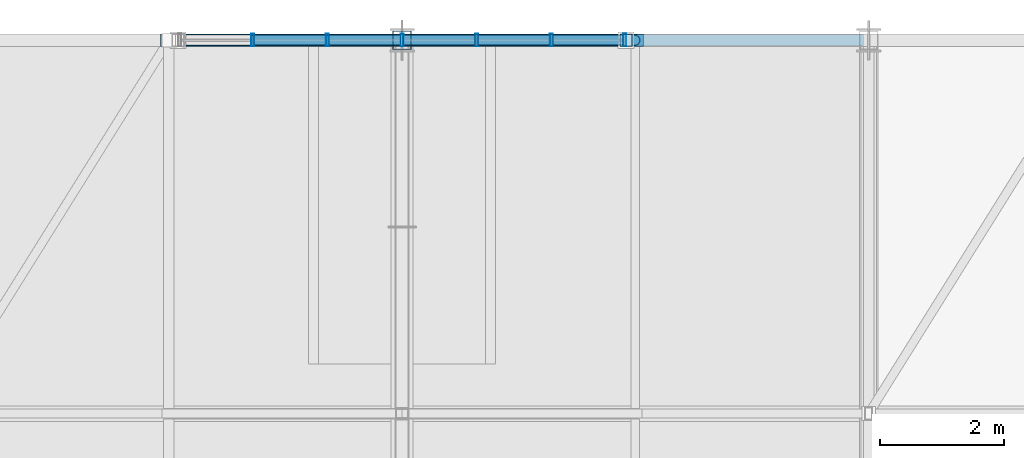
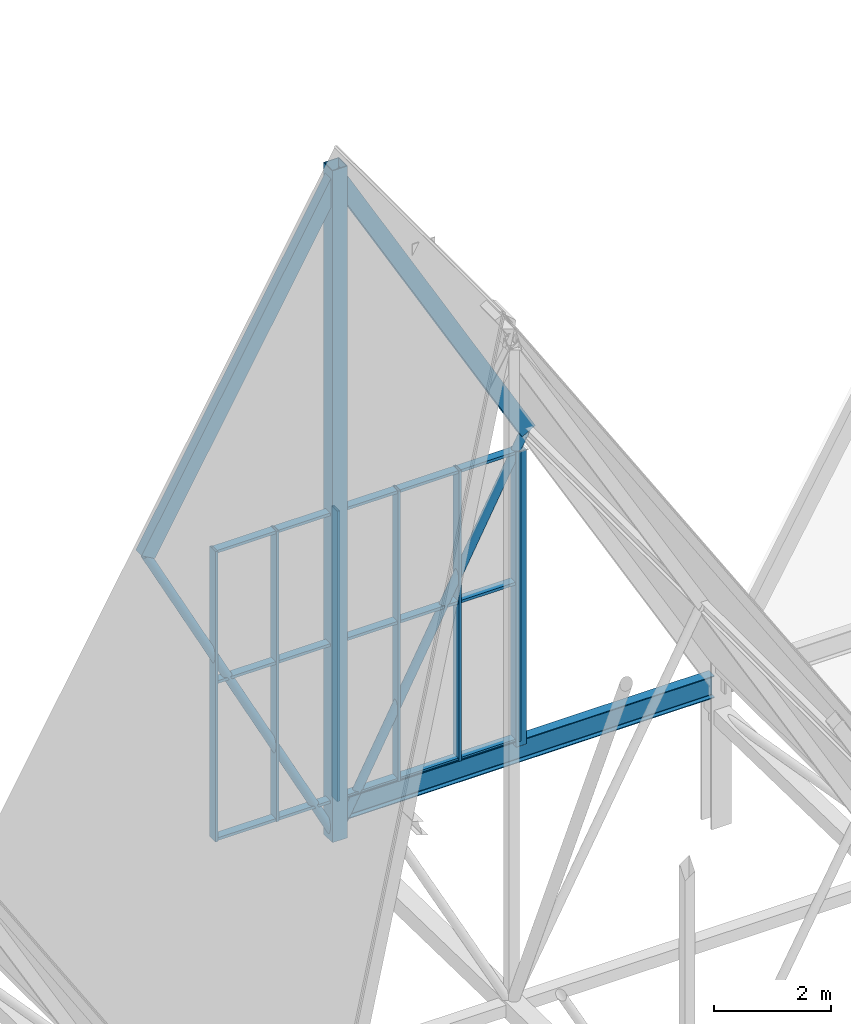
# One storey, part 157 of 324: 27 members, 1 beam, 1 element without a shape of its own.
"""IFC4 building model written with IfcOpenShell, lengths in metres."""

from ifc_helpers import new_model, si_unit, direction, frame, origin, origin_2d, place, context, subcontext, project, spatial, hollow_rectangle, hollow_circle, i_section, extrude, material, layer, layer_set, material_profile, profile_set, type_object, element, aggregate, save


model = new_model("IFC4")

# Units and contexts
model_context = context("Model", 3, precision=1e-05, world=origin(), true_north=direction((0.0, 1.0)))
body_context = subcontext(model_context, "Body", "Model", "MODEL_VIEW")
ifc_project = project(units=[si_unit("LENGTHUNIT", "METRE"), si_unit("AREAUNIT", "SQUARE_METRE"), si_unit("VOLUMEUNIT", "CUBIC_METRE"), si_unit("PLANEANGLEUNIT", "RADIAN"), si_unit("MASSUNIT", "GRAM", prefix="KILO")], contexts=[model_context])

# Site, building, storey
site_placement = place(None, origin())
site = spatial("IfcSite", under=ifc_project, at=site_placement, CompositionType="ELEMENT")
building_placement = place(site_placement, origin())
building = spatial("IfcBuilding", under=site, at=building_placement, Name="Solvenia Promenade Tram Depot", CompositionType="ELEMENT")
storey_placement = place(building_placement, frame((0.0, 0.0, 4.5)))
storey = spatial("IfcBuildingStorey", under=building, at=storey_placement, Name="L01", CompositionType="ELEMENT", Elevation=4.5)

# Curtain wall, members
ifc_material_1 = material(Name="Anodized aluminium AW-6063 T6", Category="aluminium")
ifc_layer = layer(ifc_material_1, 0.14990234375, Name="Anodized aluminium AW-6063 T6", Category="aluminium")
ifc_layer_set = layer_set([ifc_layer], Name="Anodized aluminium AW-6063 T6")
curtain_wall_type = type_object("IfcCurtainWallType", Name="CW-Gable-1200", PredefinedType="NOTDEFINED", material=ifc_layer_set)
curtain_wall_placement = place(storey_placement, origin())
curtain_wall = element("IfcCurtainWall", 1, at=curtain_wall_placement, inside=storey, type_object=curtain_wall_type, Name="North Zigzag Gable 06 Peak Glazing", PredefinedType="NOTDEFINED")
ifc_material_profile_1 = material_profile(ifc_material_1, hollow_rectangle(XDim=0.199951171875, YDim=0.048095703125, WallThickness=0.00390625, at=origin_2d()), Name="ALU-M3", Category="aluminium")
ifc_profile_set_1 = profile_set([ifc_material_profile_1], Name="Anodized aluminium AW-6063 T6")
member_type_1 = type_object("IfcMemberType", Name="CWM-Mullion-3", PredefinedType="MULLION", material=ifc_profile_set_1)
member_1_placement = place(storey_placement, frame((80.10009765625, 126.0, 3.10009765625), z_axis=(0.0, 0.0, 1.0), x_axis=(0.0, 1.0, 0.0)))
member_1 = element("IfcMember", 2, at=member_1_placement, type_object=member_type_1, Name="CW-3 mullion 2", PredefinedType="MULLION", context=body_context, shape_type="SweptSolid", body=[
    extrude(hollow_rectangle(XDim=0.199951171875, YDim=0.048095703125, WallThickness=0.00390625, at=origin_2d()), origin(), (0.0, 0.0, 1.0), 6.0498046875),
])
member_2_placement = place(storey_placement, frame((81.300048828125, 126.0, 3.10009765625), z_axis=(0.0, 0.0, 1.0), x_axis=(0.0, 1.0, 0.0)))
member_2 = element("IfcMember", 3, at=member_2_placement, type_object=member_type_1, Name="CW-3 mullion 3", PredefinedType="MULLION", context=body_context, shape_type="SweptSolid", body=[
    extrude(hollow_rectangle(XDim=0.199951171875, YDim=0.048095703125, WallThickness=0.00390625, at=origin_2d()), origin(), (0.0, 0.0, 1.0), 6.0498046875),
])
member_3_placement = place(storey_placement, frame((82.5, 126.0, 3.10009765625), z_axis=(0.0, 0.0, 1.0), x_axis=(0.0, 1.0, 0.0)))
member_3 = element("IfcMember", 4, at=member_3_placement, type_object=member_type_1, Name="CW-3 mullion 4", PredefinedType="MULLION", context=body_context, shape_type="SweptSolid", body=[
    extrude(hollow_rectangle(XDim=0.199951171875, YDim=0.048095703125, WallThickness=0.00390625, at=origin_2d()), origin(), (0.0, 0.0, 1.0), 6.0498046875),
])
member_4_placement = place(storey_placement, frame((83.699951171875, 126.0, 3.10009765625), z_axis=(0.0, 0.0, 1.0), x_axis=(0.0, 1.0, 0.0)))
member_4 = element("IfcMember", 5, at=member_4_placement, type_object=member_type_1, Name="CW-3 mullion 5", PredefinedType="MULLION", context=body_context, shape_type="SweptSolid", body=[
    extrude(hollow_rectangle(XDim=0.199951171875, YDim=0.048095703125, WallThickness=0.00390625, at=origin_2d()), origin(), (0.0, 0.0, 1.0), 6.0498046875),
])
member_5_placement = place(storey_placement, frame((84.89990234375, 126.0, 3.10009765625), z_axis=(0.0, 0.0, 1.0), x_axis=(0.0, 1.0, 0.0)))
member_5 = element("IfcMember", 6, at=member_5_placement, type_object=member_type_1, Name="CW-3 mullion 6", PredefinedType="MULLION", context=body_context, shape_type="SweptSolid", body=[
    extrude(hollow_rectangle(XDim=0.199951171875, YDim=0.048095703125, WallThickness=0.00390625, at=origin_2d()), origin(), (0.0, 0.0, 1.0), 6.0498046875),
])
member_6_placement = place(storey_placement, frame((86.075927734375, 126.0, 3.10009765625), z_axis=(0.0, 0.0, 1.0), x_axis=(0.0, 1.0, 0.0)))
member_6 = element("IfcMember", 7, at=member_6_placement, type_object=member_type_1, Name="CW-3 mullion 7", PredefinedType="MULLION", context=body_context, shape_type="SweptSolid", body=[
    extrude(hollow_rectangle(XDim=0.199951171875, YDim=0.048095703125, WallThickness=0.00390625, at=origin_2d()), origin(), (0.0, 0.0, 1.0), 6.0498046875),
])
ifc_material_profile_2 = material_profile(ifc_material_1, hollow_rectangle(XDim=0.159912109375, YDim=0.05810546875, WallThickness=0.00390625, at=origin_2d()), Name="ALU-T3", Category="aluminium")
ifc_profile_set_2 = profile_set([ifc_material_profile_2], Name="Anodized aluminium AW-6063 T6")
member_type_2 = type_object("IfcMemberType", Name="CWT-Transom-3", PredefinedType="USERDEFINED", material=ifc_profile_set_2)
member_7_placement = place(storey_placement, frame((80.1240234375, 126.0, 3.12890625), z_axis=(1.0, 0.0, 0.0), x_axis=(0.0, 1.0, 0.0)))
member_7 = element("IfcMember", 8, at=member_7_placement, type_object=member_type_2, Name="CW-3 transom 2.1", ObjectType="TRANSOM", PredefinedType="USERDEFINED", context=body_context, shape_type="SweptSolid", body=[
    extrude(hollow_rectangle(XDim=0.159912109375, YDim=0.05810546875, WallThickness=0.00390625, at=origin_2d()), origin(), (0.0, 0.0, 1.0), 1.15185546875),
])
member_8_placement = place(storey_placement, frame((80.1240234375, 126.0, 6.39990234375), z_axis=(1.0, 0.0, 0.0), x_axis=(0.0, 1.0, 0.0)))
member_8 = element("IfcMember", 9, at=member_8_placement, type_object=member_type_2, Name="CW-3 transom 2.2", ObjectType="TRANSOM", PredefinedType="USERDEFINED", context=body_context, shape_type="SweptSolid", body=[
    extrude(hollow_rectangle(XDim=0.159912109375, YDim=0.05810546875, WallThickness=0.00390625, at=origin_2d()), origin(), (0.0, 0.0, 1.0), 1.15185546875),
])
member_9_placement = place(storey_placement, frame((80.1240234375, 126.0, 9.12109375), z_axis=(1.0, 0.0, 0.0), x_axis=(0.0, 1.0, 0.0)))
member_9 = element("IfcMember", 10, at=member_9_placement, type_object=member_type_2, Name="CW-3 transom 2.3", ObjectType="TRANSOM", PredefinedType="USERDEFINED", context=body_context, shape_type="SweptSolid", body=[
    extrude(hollow_rectangle(XDim=0.159912109375, YDim=0.05810546875, WallThickness=0.00390625, at=origin_2d()), origin(), (0.0, 0.0, 1.0), 1.15185546875),
])
member_10_placement = place(storey_placement, frame((81.323974609375, 126.0, 3.12890625), z_axis=(1.0, 0.0, 0.0), x_axis=(0.0, 1.0, 0.0)))
member_10 = element("IfcMember", 11, at=member_10_placement, type_object=member_type_2, Name="CW-3 transom 3.1", ObjectType="TRANSOM", PredefinedType="USERDEFINED", context=body_context, shape_type="SweptSolid", body=[
    extrude(hollow_rectangle(XDim=0.159912109375, YDim=0.05810546875, WallThickness=0.00390625, at=origin_2d()), origin(), (0.0, 0.0, 1.0), 1.152099609375),
])
member_11_placement = place(storey_placement, frame((81.323974609375, 126.0, 6.39990234375), z_axis=(1.0, 0.0, 0.0), x_axis=(0.0, 1.0, 0.0)))
member_11 = element("IfcMember", 12, at=member_11_placement, type_object=member_type_2, Name="CW-3 transom 3.2", ObjectType="TRANSOM", PredefinedType="USERDEFINED", context=body_context, shape_type="SweptSolid", body=[
    extrude(hollow_rectangle(XDim=0.159912109375, YDim=0.05810546875, WallThickness=0.00390625, at=origin_2d()), origin(), (0.0, 0.0, 1.0), 1.152099609375),
])
member_12_placement = place(storey_placement, frame((81.323974609375, 126.0, 9.12109375), z_axis=(1.0, 0.0, 0.0), x_axis=(0.0, 1.0, 0.0)))
member_12 = element("IfcMember", 13, at=member_12_placement, type_object=member_type_2, Name="CW-3 transom 3.3", ObjectType="TRANSOM", PredefinedType="USERDEFINED", context=body_context, shape_type="SweptSolid", body=[
    extrude(hollow_rectangle(XDim=0.159912109375, YDim=0.05810546875, WallThickness=0.00390625, at=origin_2d()), origin(), (0.0, 0.0, 1.0), 1.152099609375),
])
member_13_placement = place(storey_placement, frame((82.52392578125, 126.0, 3.12890625), z_axis=(1.0, 0.0, 0.0), x_axis=(0.0, 1.0, 0.0)))
member_13 = element("IfcMember", 14, at=member_13_placement, type_object=member_type_2, Name="CW-3 transom 4.1", ObjectType="TRANSOM", PredefinedType="USERDEFINED", context=body_context, shape_type="SweptSolid", body=[
    extrude(hollow_rectangle(XDim=0.159912109375, YDim=0.05810546875, WallThickness=0.00390625, at=origin_2d()), origin(), (0.0, 0.0, 1.0), 1.152099609375),
])
member_14_placement = place(storey_placement, frame((82.52392578125, 126.0, 6.39990234375), z_axis=(1.0, 0.0, 0.0), x_axis=(0.0, 1.0, 0.0)))
member_14 = element("IfcMember", 15, at=member_14_placement, type_object=member_type_2, Name="CW-3 transom 4.2", ObjectType="TRANSOM", PredefinedType="USERDEFINED", context=body_context, shape_type="SweptSolid", body=[
    extrude(hollow_rectangle(XDim=0.159912109375, YDim=0.05810546875, WallThickness=0.00390625, at=origin_2d()), origin(), (0.0, 0.0, 1.0), 1.152099609375),
])
member_15_placement = place(storey_placement, frame((82.52392578125, 126.0, 9.12109375), z_axis=(1.0, 0.0, 0.0), x_axis=(0.0, 1.0, 0.0)))
member_15 = element("IfcMember", 16, at=member_15_placement, type_object=member_type_2, Name="CW-3 transom 4.3", ObjectType="TRANSOM", PredefinedType="USERDEFINED", context=body_context, shape_type="SweptSolid", body=[
    extrude(hollow_rectangle(XDim=0.159912109375, YDim=0.05810546875, WallThickness=0.00390625, at=origin_2d()), origin(), (0.0, 0.0, 1.0), 1.152099609375),
])
member_16_placement = place(storey_placement, frame((83.72412109375, 126.0, 3.12890625), z_axis=(1.0, 0.0, 0.0), x_axis=(0.0, 1.0, 0.0)))
member_16 = element("IfcMember", 17, at=member_16_placement, type_object=member_type_2, Name="CW-3 transom 5.1", ObjectType="TRANSOM", PredefinedType="USERDEFINED", context=body_context, shape_type="SweptSolid", body=[
    extrude(hollow_rectangle(XDim=0.159912109375, YDim=0.05810546875, WallThickness=0.00390625, at=origin_2d()), origin(), (0.0, 0.0, 1.0), 1.15185546875),
])
member_17_placement = place(storey_placement, frame((83.72412109375, 126.0, 6.39990234375), z_axis=(1.0, 0.0, 0.0), x_axis=(0.0, 1.0, 0.0)))
member_17 = element("IfcMember", 18, at=member_17_placement, type_object=member_type_2, Name="CW-3 transom 5.2", ObjectType="TRANSOM", PredefinedType="USERDEFINED", context=body_context, shape_type="SweptSolid", body=[
    extrude(hollow_rectangle(XDim=0.159912109375, YDim=0.05810546875, WallThickness=0.00390625, at=origin_2d()), origin(), (0.0, 0.0, 1.0), 1.15185546875),
])
member_18_placement = place(storey_placement, frame((83.72412109375, 126.0, 9.12109375), z_axis=(1.0, 0.0, 0.0), x_axis=(0.0, 1.0, 0.0)))
member_18 = element("IfcMember", 19, at=member_18_placement, type_object=member_type_2, Name="CW-3 transom 5.3", ObjectType="TRANSOM", PredefinedType="USERDEFINED", context=body_context, shape_type="SweptSolid", body=[
    extrude(hollow_rectangle(XDim=0.159912109375, YDim=0.05810546875, WallThickness=0.00390625, at=origin_2d()), origin(), (0.0, 0.0, 1.0), 1.15185546875),
])
member_19_placement = place(storey_placement, frame((84.924072265625, 126.0, 3.12890625), z_axis=(1.0, 0.0, 0.0), x_axis=(0.0, 1.0, 0.0)))
member_19 = element("IfcMember", 20, at=member_19_placement, type_object=member_type_2, Name="CW-3 transom 6.1", ObjectType="TRANSOM", PredefinedType="USERDEFINED", context=body_context, shape_type="SweptSolid", body=[
    extrude(hollow_rectangle(XDim=0.159912109375, YDim=0.05810546875, WallThickness=0.00390625, at=origin_2d()), origin(), (0.0, 0.0, 1.0), 1.1279296875),
])
member_20_placement = place(storey_placement, frame((84.924072265625, 126.0, 6.39990234375), z_axis=(1.0, 0.0, 0.0), x_axis=(0.0, 1.0, 0.0)))
member_20 = element("IfcMember", 21, at=member_20_placement, type_object=member_type_2, Name="CW-3 transom 6.2", ObjectType="TRANSOM", PredefinedType="USERDEFINED", context=body_context, shape_type="SweptSolid", body=[
    extrude(hollow_rectangle(XDim=0.159912109375, YDim=0.05810546875, WallThickness=0.00390625, at=origin_2d()), origin(), (0.0, 0.0, 1.0), 1.1279296875),
])
member_21_placement = place(storey_placement, frame((84.924072265625, 126.0, 9.12109375), z_axis=(1.0, 0.0, 0.0), x_axis=(0.0, 1.0, 0.0)))
member_21 = element("IfcMember", 22, at=member_21_placement, type_object=member_type_2, Name="CW-3 transom 6.3", ObjectType="TRANSOM", PredefinedType="USERDEFINED", context=body_context, shape_type="SweptSolid", body=[
    extrude(hollow_rectangle(XDim=0.159912109375, YDim=0.05810546875, WallThickness=0.00390625, at=origin_2d()), origin(), (0.0, 0.0, 1.0), 1.1279296875),
])
aggregate(curtain_wall, [member_1, member_2, member_3, member_4, member_5, member_6, member_7, member_8, member_9, member_10, member_11, member_12, member_13, member_14, member_15, member_16, member_17, member_18, member_19, member_20, member_21])

# Members
ifc_material_2 = material(Name="Structural steel ASTM A500 Gr. C", Category="steel")
ifc_material_profile_3 = material_profile(ifc_material_2, hollow_rectangle(XDim=0.199951171875, YDim=0.300048828125, WallThickness=0.012451171875, at=origin_2d()), Name="HSS300x200x12.5", Category="steel")
ifc_profile_set_3 = profile_set([ifc_material_profile_3], Name="Structural steel ASTM A500 Gr. C")
member_type_3 = type_object("IfcMemberType", Name="Chord-HSS300x200x12", PredefinedType="CHORD", material=ifc_profile_set_3)
for number, where, z_axis, x_axis, name in (
    (23, (78.75, 126.0, 9.501220703125), (0.494861595532, 0.0, 0.868971806946), (0.0, 1.0, 0.0), "Zigzag Gable 06 West Upper Rafter"),
    (24, (82.5, 126.0, 16.086181640625), (0.494861595532, 0.0, -0.868971806946), (0.0, 1.0, 0.0), "Zigzag Gable 06 East Upper Rafter"),
):
    element("IfcMember", number, at=place(storey_placement, frame(where, z_axis=z_axis, x_axis=x_axis)), inside=storey, type_object=member_type_3, Name=name, PredefinedType="CHORD", context=body_context, shape_type="SweptSolid", body=[
        extrude(hollow_rectangle(XDim=0.199951171875, YDim=0.300048828125, WallThickness=0.012451171875, at=origin_2d()), origin(), (0.0, 0.0, 1.0), 7.577880859375),
    ])
ifc_material_profile_4 = material_profile(ifc_material_2, hollow_rectangle(XDim=0.300048828125, YDim=0.300048828125, WallThickness=0.012451171875, at=origin_2d()), Name="HSS300x300x12.5", Category="steel")
ifc_profile_set_4 = profile_set([ifc_material_profile_4], Name="Structural steel ASTM A500 Gr. C")
member_type_4 = type_object("IfcMemberType", Name="Chord-HSS300x300x12", PredefinedType="CHORD", material=ifc_profile_set_4)
member_22_placement = place(storey_placement, frame((82.5, 126.0, 2.320068359375), z_axis=(0.0, 0.0, 1.0), x_axis=(1.0, 0.0, 0.0)))
element("IfcMember", 25, at=member_22_placement, inside=storey, type_object=member_type_4, Name="Arched Truss T12 N End Post", PredefinedType="CHORD", context=body_context, shape_type="SweptSolid", body=[
    extrude(hollow_rectangle(XDim=0.300048828125, YDim=0.300048828125, WallThickness=0.012451171875, at=origin_2d()), origin(), (0.0, 0.0, 1.0), 14.0),
])
ifc_material_profile_5 = material_profile(ifc_material_2, hollow_rectangle(XDim=0.199951171875, YDim=0.199951171875, WallThickness=0.010009765625, at=origin_2d()), Name="HSS200x200x10", Category="steel")
ifc_profile_set_5 = profile_set([ifc_material_profile_5], Name="Structural steel ASTM A500 Gr. C")
member_type_5 = type_object("IfcMemberType", Name="Post-HSS200x200x10", PredefinedType="POST", material=ifc_profile_set_5)
member_23_placement = place(storey_placement, frame((86.10009765625, 126.0, 3.0), z_axis=(0.0, 0.0, 1.0), x_axis=(1.0, 0.0, 0.0)))
element("IfcMember", 26, at=member_23_placement, inside=storey, type_object=member_type_5, Name="Gable Curtain-Wall Steel Jamb Post 022", PredefinedType="POST", context=body_context, shape_type="SweptSolid", body=[
    extrude(hollow_rectangle(XDim=0.199951171875, YDim=0.199951171875, WallThickness=0.010009765625, at=origin_2d()), origin(), (0.0, 0.0, 1.0), 6.14990234375),
])

# Beam
ifc_material_3 = material(Name="Structural steel ASTM A992 Gr. 50", Category="steel")
ifc_material_profile_6 = material_profile(ifc_material_3, i_section(OverallWidth=0.19091796875, OverallDepth=0.4599609375, WebThickness=0.010009765625, FlangeThickness=0.01611328125, FilletRadius=0.012939453125, at=origin_2d()), Name="W460x82", Category="steel")
ifc_profile_set_6 = profile_set([ifc_material_profile_6], Name="Structural steel ASTM A992 Gr. 50")
beam_type = type_object("IfcBeamType", Name="Spandrel-W460x82", PredefinedType="SPANDREL", material=ifc_profile_set_6)
beam_placement = place(storey_placement, frame((82.5849609375, 126.0, 2.889892578125), z_axis=(1.0, 0.0, 0.0), x_axis=(0.0, 1.0, 0.0)))
element("IfcBeam", 27, at=beam_placement, inside=storey, type_object=beam_type, Name="North Shed Eave Girder BM-L01-0979", PredefinedType="SPANDREL", context=body_context, shape_type="SweptSolid", body=[
    extrude(i_section(OverallWidth=0.19091796875, OverallDepth=0.4599609375, WebThickness=0.010009765625, FlangeThickness=0.01611328125, FilletRadius=0.012939453125, at=origin_2d()), origin(), (0.0, 0.0, 1.0), 7.330078125),
])

# Members
ifc_material_profile_7 = material_profile(ifc_material_2, hollow_circle(Radius=0.084228515625, WallThickness=0.008056640625, at=origin_2d()), Name="CHS168.3x8", Category="steel")
ifc_profile_set_7 = profile_set([ifc_material_profile_7], Name="Structural steel ASTM A500 Gr. C")
member_type_6 = type_object("IfcMemberType", Name="WebDiag-CHS168x8", PredefinedType="BRACE", material=ifc_profile_set_7)
for number, where, z_axis, x_axis, name in (
    (28, (82.5, 126.0, 2.320068359375), (-0.462887306423, 0.0, 0.886417137443), (0.0, -1.0, 0.0), "Zigzag Gable 06 West Knee Strut"),
    (29, (82.5, 126.0, 2.320068359375), (0.462887306423, 0.0, 0.886417137443), (0.0, 1.0, 0.0), "Zigzag Gable 06 East Knee Strut"),
):
    element("IfcMember", number, at=place(storey_placement, frame(where, z_axis=z_axis, x_axis=x_axis)), inside=storey, type_object=member_type_6, Name=name, PredefinedType="BRACE", context=body_context, shape_type="SweptSolid", body=[
        extrude(hollow_circle(Radius=0.084228515625, WallThickness=0.008056640625, at=origin_2d()), origin(), (0.0, 0.0, 1.0), 8.101318359375),
    ])

save(model, "model.ifc")
